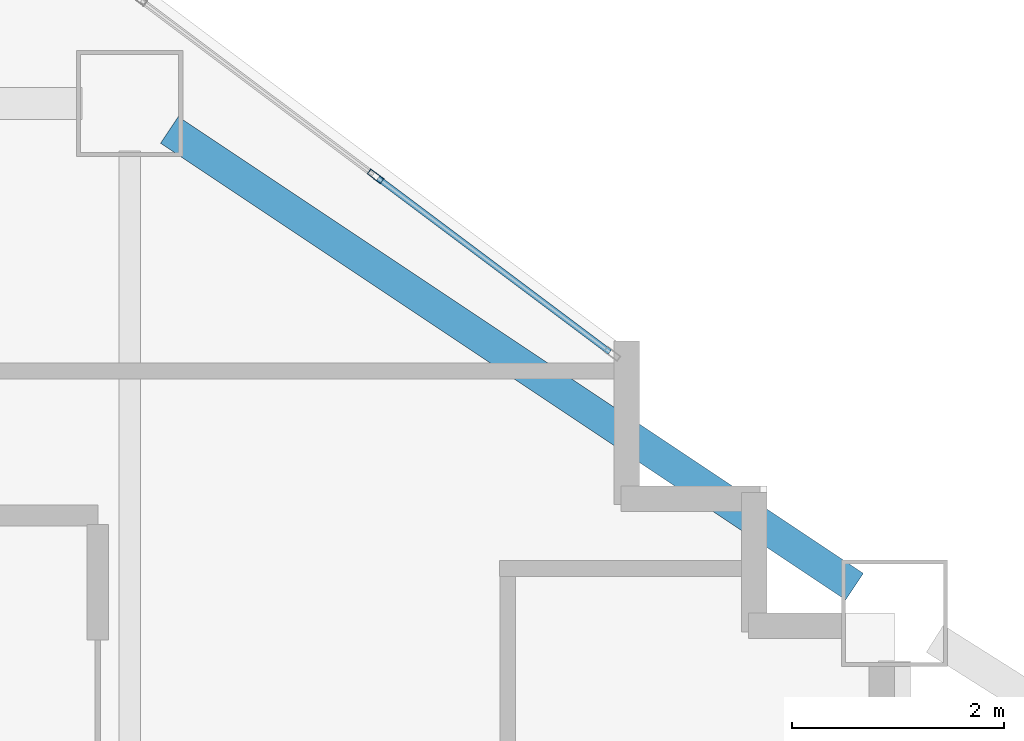
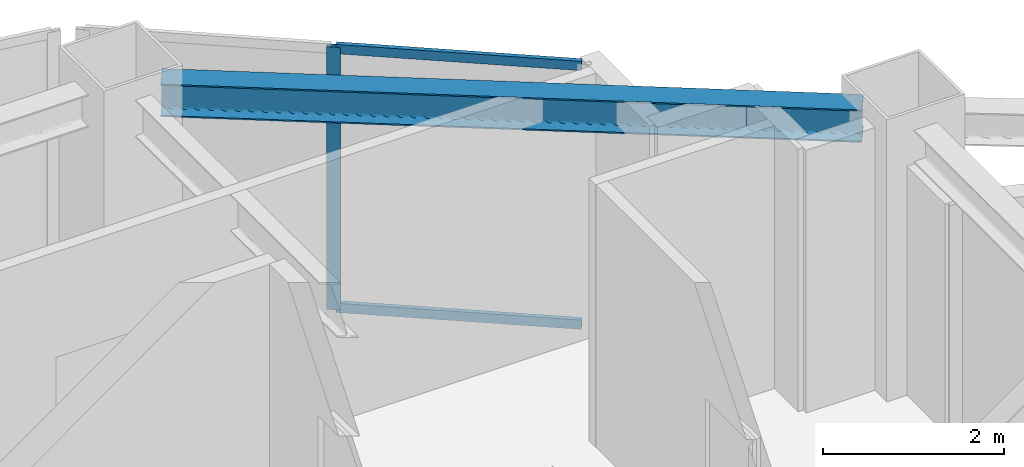
# One storey, part 3 of 15: 3 members, 1 beam, 1 element without a shape of its own.
"""IFC4 building model written with IfcOpenShell, lengths in metres."""

from ifc_helpers import new_model, si_unit, direction, frame, origin, origin_2d, place, context, subcontext, project, spatial, hollow_rectangle, i_section, extrude, material, layer, layer_set, material_profile, profile_set, type_object, element, aggregate, save


model = new_model("IFC4")

# Units and contexts
model_context = context("Model", 3, precision=1e-05, world=origin(), true_north=direction((0.0, 1.0)))
body_context = subcontext(model_context, "Body", "Model", "MODEL_VIEW")
ifc_project = project(units=[si_unit("LENGTHUNIT", "METRE"), si_unit("AREAUNIT", "SQUARE_METRE"), si_unit("VOLUMEUNIT", "CUBIC_METRE"), si_unit("PLANEANGLEUNIT", "RADIAN"), si_unit("MASSUNIT", "GRAM", prefix="KILO")], contexts=[model_context])

# Site, building, storey
site_placement = place(None, origin())
site = spatial("IfcSite", under=ifc_project, at=site_placement, CompositionType="ELEMENT")
building_placement = place(site_placement, origin())
building = spatial("IfcBuilding", under=site, at=building_placement, Name="Haolan Belvedere Tower", CompositionType="ELEMENT")
storey_placement = place(building_placement, frame((0.0, 0.0, 156.199951171875)))
storey = spatial("IfcBuildingStorey", under=building, at=storey_placement, Name="L39", CompositionType="ELEMENT", Elevation=156.199951171875)

# Beam
ifc_material_1 = material(Name="Steel Q355B", Category="steel")
ifc_material_profile_1 = material_profile(ifc_material_1, i_section(OverallWidth=0.300048828125, OverallDepth=0.43994140625, WebThickness=0.010986328125, FlangeThickness=0.01806640625, FilletRadius=0.02392578125, at=origin_2d()), Name="Steel Q355B")
ifc_profile_set_1 = profile_set([ifc_material_profile_1], Name="Steel Q355B")
beam_type = type_object("IfcBeamType", Name="BM-HM440x300x11x18", PredefinedType="SPANDREL", material=ifc_profile_set_1)
beam_placement = place(storey_placement, frame((45.974365234375, 50.150390625, 3.320068359375), z_axis=(0.832050294338, -0.554700196225, 0.0), x_axis=(0.554700196225, 0.832050294338, 0.0)))
element("IfcBeam", 1, at=beam_placement, inside=storey, type_object=beam_type, Name="L39 spandrel girder MC-T3-N2-MC-T3-NE", PredefinedType="SPANDREL", context=body_context, shape_type="SweptSolid", body=[
    extrude(i_section(OverallWidth=0.300048828125, OverallDepth=0.43994140625, WebThickness=0.010986328125, FlangeThickness=0.01806640625, FilletRadius=0.02392578125, at=origin_2d()), origin(), (0.0, 0.0, 1.0), 7.75341796875),
])

# Curtain wall, members
ifc_material_2 = material(Name="Anodised champagne-silver aluminium 6063-T6 and Low-E glass", Category="aluminium")
ifc_layer = layer(ifc_material_2, 0.155029296875, Name="Anodised champagne-silver aluminium 6063-T6 and Low-E glass")
ifc_layer_set = layer_set([ifc_layer], Name="Anodised champagne-silver aluminium 6063-T6 and Low-E glass")
curtain_wall_type = type_object("IfcCurtainWallType", Name="CW-SYS-03", PredefinedType="NOTDEFINED", material=ifc_layer_set)
curtain_wall_placement = place(storey_placement, origin())
curtain_wall = element("IfcCurtainWall", 2, at=curtain_wall_placement, inside=storey, type_object=curtain_wall_type, Name="L39 CW-SYS-03 ribbon curtain wall 26.1", PredefinedType="NOTDEFINED")
ifc_material_3 = material(Name="Anodised aluminium 6063-T6", Category="aluminium")
ifc_material_profile_2 = material_profile(ifc_material_3, hollow_rectangle(XDim=0.05810546875, YDim=0.155029296875, WallThickness=0.00390625, at=origin_2d()), Name="Anodised aluminium 6063-T6")
ifc_profile_set_2 = profile_set([ifc_material_profile_2], Name="Anodised aluminium 6063-T6")
member_type_1 = type_object("IfcMemberType", Name="CW-SYS-03-MUL", PredefinedType="MULLION", material=ifc_profile_set_2)
member_1_placement = place(storey_placement, frame((47.915771484375, 49.713134765625, 0.0), z_axis=(0.0, 0.0, 1.0), x_axis=(-0.599994316874, -0.800004262313, 0.0)))
member_1 = element("IfcMember", 3, at=member_1_placement, type_object=member_type_1, Name="CW-03 mullion 2", PredefinedType="MULLION", context=body_context, shape_type="SweptSolid", body=[
    extrude(hollow_rectangle(XDim=0.05810546875, YDim=0.155029296875, WallThickness=0.00390625, at=origin_2d()), origin(), (0.0, 0.0, 1.0), 3.5400390625),
])
ifc_material_profile_3 = material_profile(ifc_material_3, hollow_rectangle(XDim=0.053955078125, YDim=0.125, WallThickness=0.00390625, at=origin_2d()), Name="Anodised aluminium 6063-T6")
ifc_profile_set_3 = profile_set([ifc_material_profile_3], Name="Anodised aluminium 6063-T6")
member_type_2 = type_object("IfcMemberType", Name="CW-SYS-03-TRN", PredefinedType="USERDEFINED", material=ifc_profile_set_3)
member_2_placement = place(storey_placement, frame((50.12158203125, 48.058837890625, 0.027099609375), z_axis=(-0.8, 0.6, 0.0), x_axis=(-0.6, -0.8, 0.0)))
member_2 = element("IfcMember", 4, at=member_2_placement, type_object=member_type_2, Name="CW-03 transom 1.1", ObjectType="TRANSOM", PredefinedType="USERDEFINED", context=body_context, shape_type="SweptSolid", body=[
    extrude(hollow_rectangle(XDim=0.053955078125, YDim=0.125, WallThickness=0.00390625, at=origin_2d()), origin(), (0.0, 0.0, 1.0), 2.728271484375),
])
member_3_placement = place(storey_placement, frame((50.12158203125, 48.058837890625, 3.512939453125), z_axis=(-0.8, 0.6, 0.0), x_axis=(-0.6, -0.8, 0.0)))
member_3 = element("IfcMember", 5, at=member_3_placement, type_object=member_type_2, Name="CW-03 transom 1.2", ObjectType="TRANSOM", PredefinedType="USERDEFINED", context=body_context, shape_type="SweptSolid", body=[
    extrude(hollow_rectangle(XDim=0.053955078125, YDim=0.125, WallThickness=0.00390625, at=origin_2d()), origin(), (0.0, 0.0, 1.0), 2.728271484375),
])
aggregate(curtain_wall, [member_1, member_2, member_3])

save(model, "model.ifc")
